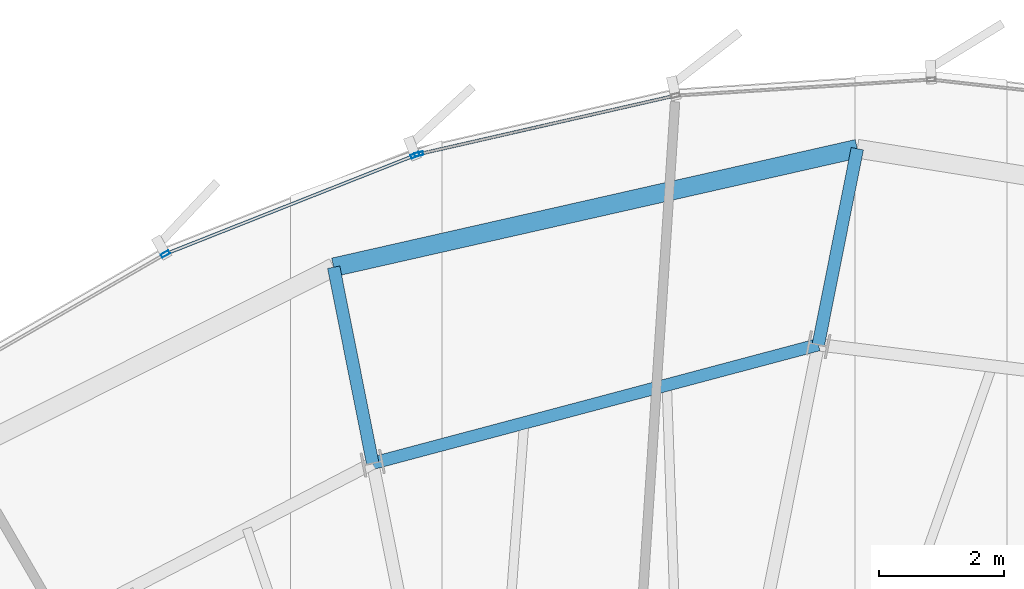
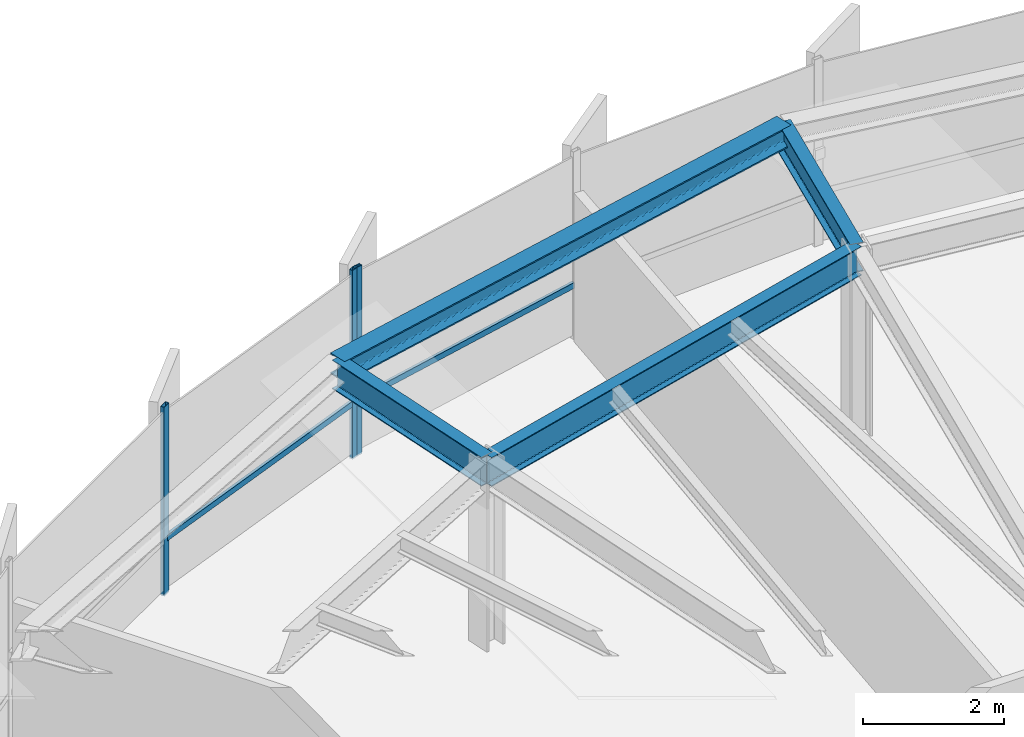
# One storey, part 23 of 35: 5 members, 4 beams, 2 elements without a shape of their own.
"""IFC4 building model written with IfcOpenShell, lengths in metres."""

from ifc_helpers import new_model, si_unit, direction, frame, origin, origin_2d, place, context, subcontext, project, spatial, hollow_rectangle, i_section, extrude, source, transform, mapped, material, layer, layer_set, material_profile, profile_set, type_object, element, aggregate, save


model = new_model("IFC4")

# Units and contexts
model_context = context("Model", 3, precision=1e-05, world=origin(), true_north=direction((0.0, 1.0)))
body_context = subcontext(model_context, "Body", "Model", "MODEL_VIEW")
ifc_project = project(units=[si_unit("LENGTHUNIT", "METRE"), si_unit("AREAUNIT", "SQUARE_METRE"), si_unit("VOLUMEUNIT", "CUBIC_METRE"), si_unit("PLANEANGLEUNIT", "RADIAN"), si_unit("MASSUNIT", "GRAM", prefix="KILO"), si_unit("THERMODYNAMICTEMPERATUREUNIT", "KELVIN")], contexts=[model_context])

# Site, building, storey
site_placement = place(None, origin())
site = spatial("IfcSite", under=ifc_project, at=site_placement, CompositionType="ELEMENT")
building_placement = place(site_placement, origin())
building = spatial("IfcBuilding", under=site, at=building_placement, Name="Kethvar Cultural Tower", CompositionType="ELEMENT")
storey_placement = place(building_placement, frame((0.0, 0.0, 204.39990234375)))
storey = spatial("IfcBuildingStorey", under=building, at=storey_placement, Name="L53", CompositionType="ELEMENT", Elevation=204.39990234375)

# Beams
ifc_material_1 = material(Name="Steel S355J2", Category="steel")
ifc_material_profile_1 = material_profile(ifc_material_1, i_section(OverallWidth=0.199951171875, OverallDepth=0.5, WebThickness=0.01025390625, FlangeThickness=0.01611328125, FilletRadius=0.02099609375, at=origin_2d()), Name="Steel S355J2 — IPE500")
ifc_profile_set_1 = profile_set([ifc_material_profile_1], Name="Steel S355J2 — IPE500")
beam_type_1 = type_object("IfcBeamType", Name="BM-IPE500", PredefinedType="BEAM", material=ifc_profile_set_1)
shared_shape_1 = source(origin(), body_context, "Body", "SweptSolid", [
    extrude(i_section(OverallWidth=0.199951171875, OverallDepth=0.5, WebThickness=0.01025390625, FlangeThickness=0.01611328125, FilletRadius=0.02099609375, at=origin_2d()), origin(), (0.0, 0.0, 1.0), 3.199951171875),
])
for number, where, z_axis, x_axis, name in (
    (1, (50.556884765625, 46.6875, 3.008056640625), (0.195088965533, 0.980785550224, 0.0), (-0.980785550224, 0.195088965533, 0.0), "L53 Perimeter Cantilever Beam RC-04"),
    (2, (43.420654296875, 44.789306640625, 3.008056640625), (-0.195088965533, 0.980785550224, 0.0), (-0.980785550224, -0.195088965533, 0.0), "L53 Perimeter Cantilever Beam RC-05"),
):
    element("IfcBeam", number, at=place(storey_placement, frame(where, z_axis=z_axis, x_axis=x_axis)), inside=storey, type_object=beam_type_1, Name=name, PredefinedType="BEAM", context=body_context, shape_type="MappedRepresentation", body=[
        mapped(shared_shape_1, transform((0.0, 0.0, 0.0), scale=1.0)),
    ])
shared_shape_2 = source(origin(), body_context, "Body", "SweptSolid", [
    extrude(i_section(OverallWidth=0.199951171875, OverallDepth=0.5, WebThickness=0.01025390625, FlangeThickness=0.01611328125, FilletRadius=0.02099609375, at=origin_2d()), origin(), (0.0, 0.0, 1.0), 7.38427734375),
])
beam_1_placement = place(storey_placement, frame((50.556884765625, 46.6875, 3.008056640625), z_axis=(-0.966396628298, -0.257055552002, 0.0), x_axis=(0.257055552002, -0.966396628298, 0.0)))
element("IfcBeam", 3, at=beam_1_placement, inside=storey, type_object=beam_type_1, Name="L53 Column Ring Tie Beam CR-04", PredefinedType="BEAM", context=body_context, shape_type="MappedRepresentation", body=[
    mapped(shared_shape_2, transform((0.0, 0.0, 0.0), scale=1.0)),
])
ifc_material_profile_2 = material_profile(ifc_material_1, i_section(OverallWidth=0.300048828125, OverallDepth=0.360107421875, WebThickness=0.012451171875, FlangeThickness=0.0224609375, FilletRadius=0.027099609375, at=origin_2d()), Name="Steel S355J2 — HEB360")
ifc_profile_set_2 = profile_set([ifc_material_profile_2], Name="Steel S355J2 — HEB360")
beam_type_2 = type_object("IfcBeamType", Name="BM-SP360", PredefinedType="SPANDREL", material=ifc_profile_set_2)
shared_shape_3 = source(origin(), body_context, "Body", "SweptSolid", [
    extrude(i_section(OverallWidth=0.300048828125, OverallDepth=0.360107421875, WebThickness=0.012451171875, FlangeThickness=0.0224609375, FilletRadius=0.027099609375, at=origin_2d()), origin(), (0.0, 0.0, 1.0), 8.596923828125),
])
beam_2_placement = place(storey_placement, frame((51.18115234375, 49.825927734375, 3.078125), z_axis=(-0.975319414912, -0.2207986388, 0.0), x_axis=(0.2207986388, -0.975319414912, 0.0)))
element("IfcBeam", 4, at=beam_2_placement, inside=storey, type_object=beam_type_2, Name="L53 Perimeter Spandrel Beam SP-04", PredefinedType="SPANDREL", context=body_context, shape_type="MappedRepresentation", body=[
    mapped(shared_shape_3, transform((0.0, 0.0, 0.0), scale=1.0)),
])

# Curtain wall, members
ifc_material_2 = material(Name="Aluminium 6063-T6", Category="aluminium")
ifc_layer = layer(ifc_material_2, 0.179931640625, Name="Aluminium 6063-T6", Category="aluminium")
ifc_layer_set = layer_set([ifc_layer], Name="Aluminium 6063-T6 (180 mm)")
curtain_wall_type = type_object("IfcCurtainWallType", Name="CW-SYS-04-Z34", PredefinedType="NOTDEFINED", material=ifc_layer_set)
curtain_wall_1_placement = place(storey_placement, origin())
curtain_wall_1 = element("IfcCurtainWall", 5, at=curtain_wall_1_placement, inside=storey, type_object=curtain_wall_type, Name="L53 Curtain Wall Run 01", PredefinedType="NOTDEFINED")
ifc_material_profile_3 = material_profile(ifc_material_2, hollow_rectangle(XDim=0.050048828125, YDim=0.10009765625, WallThickness=0.00390625, at=origin_2d()), Name="Aluminium 6063-T6 — RHS100x50x4")
ifc_profile_set_3 = profile_set([ifc_material_profile_3], Name="Aluminium 6063-T6 — RHS100x50x4")
member_type_1 = type_object("IfcMemberType", Name="CW-SYS-04-Z34-TRN", PredefinedType="USERDEFINED", material=ifc_profile_set_3)
shared_shape_4 = source(origin(), body_context, "Body", "SweptSolid", [
    extrude(hollow_rectangle(XDim=0.050048828125, YDim=0.10009765625, WallThickness=0.00390625, at=origin_2d()), origin(), (0.0, 0.0, 1.0), 4.169189453125),
])
member_1_placement = place(storey_placement, frame((48.2275390625, 50.667724609375, 0.9501953125), z_axis=(-0.974928237459, -0.22251950882, 0.0), x_axis=(0.22251950882, -0.974928237459, 0.0)))
member_1 = element("IfcMember", 6, at=member_1_placement, type_object=member_type_1, Name="CW-L53-R01 Transom 6", ObjectType="TRANSOM", PredefinedType="USERDEFINED", context=body_context, shape_type="MappedRepresentation", body=[
    mapped(shared_shape_4, transform((0.0, 0.0, 0.0), scale=1.0)),
])
ifc_material_profile_4 = material_profile(ifc_material_2, hollow_rectangle(XDim=0.06005859375, YDim=0.139892578125, WallThickness=0.0048828125, at=origin_2d()), Name="Aluminium 6063-T6 — RHS140x60x5")
ifc_profile_set_4 = profile_set([ifc_material_profile_4], Name="Aluminium 6063-T6 — RHS140x60x5")
member_type_2 = type_object("IfcMemberType", Name="CW-SYS-04-Z34-MUL", PredefinedType="MULLION", material=ifc_profile_set_4)
shared_shape_5 = source(origin(), body_context, "Body", "SweptSolid", [
    extrude(hollow_rectangle(XDim=0.06005859375, YDim=0.139892578125, WallThickness=0.0048828125, at=origin_2d()), origin(), (0.0, 0.0, 1.0), 3.260009765625),
])
member_2_placement = place(storey_placement, frame((44.15869140625, 49.739013671875, 0.0), z_axis=(0.0, 0.0, 1.0), x_axis=(0.222518503141, -0.974928466996, 0.0)))
member_2 = element("IfcMember", 7, at=member_2_placement, type_object=member_type_2, Name="CW-L53-R01 Mullion 7", PredefinedType="MULLION", context=body_context, shape_type="MappedRepresentation", body=[
    mapped(shared_shape_5, transform((0.0, 0.0, 0.0), scale=1.0)),
])
aggregate(curtain_wall_1, [member_2, member_1])

curtain_wall_2_placement = place(storey_placement, origin())
curtain_wall_2 = element("IfcCurtainWall", 8, at=curtain_wall_2_placement, inside=storey, type_object=curtain_wall_type, Name="L53 Curtain Wall Run 02", PredefinedType="NOTDEFINED")
member_3_placement = place(storey_placement, frame((44.100341796875, 49.72119140625, 0.0), z_axis=(0.0, 0.0, 1.0), x_axis=(0.367864895759, -0.929879249402, 0.0)))
member_3 = element("IfcMember", 9, at=member_3_placement, type_object=member_type_2, Name="CW-L53-R02 Mullion 1", PredefinedType="MULLION", context=body_context, shape_type="MappedRepresentation", body=[
    mapped(shared_shape_5, transform((0.0, 0.0, 0.0), scale=1.0)),
])
member_4_placement = place(storey_placement, frame((40.099609375, 48.1396484375, 0.0), z_axis=(0.0, 0.0, 1.0), x_axis=(0.499591839642, -0.866260927067, 0.0)))
member_4 = element("IfcMember", 10, at=member_4_placement, type_object=member_type_2, Name="CW-L53-R02 Mullion 2", PredefinedType="MULLION", context=body_context, shape_type="MappedRepresentation", body=[
    mapped(shared_shape_5, transform((0.0, 0.0, 0.0), scale=1.0)),
])
shared_shape_6 = source(origin(), body_context, "Body", "SweptSolid", [
    extrude(hollow_rectangle(XDim=0.050048828125, YDim=0.10009765625, WallThickness=0.00390625, at=origin_2d()), origin(), (0.0, 0.0, 1.0), 4.270751953125),
])
member_5_placement = place(storey_placement, frame((44.096435546875, 49.719482421875, 0.9501953125), z_axis=(-0.929877512853, -0.367869285332, 0.0), x_axis=(0.367869285332, -0.929877512853, 0.0)))
member_5 = element("IfcMember", 11, at=member_5_placement, type_object=member_type_1, Name="CW-L53-R02 Transom 1", ObjectType="TRANSOM", PredefinedType="USERDEFINED", context=body_context, shape_type="MappedRepresentation", body=[
    mapped(shared_shape_6, transform((0.0, 0.0, 0.0), scale=1.0)),
])
aggregate(curtain_wall_2, [member_3, member_4, member_5])

save(model, "model.ifc")
